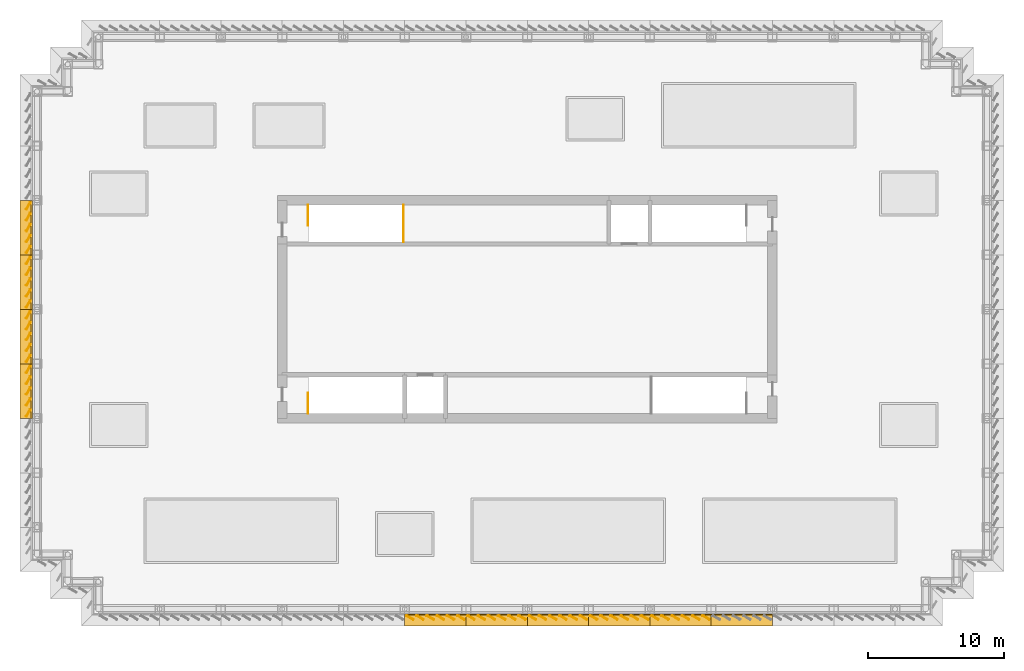
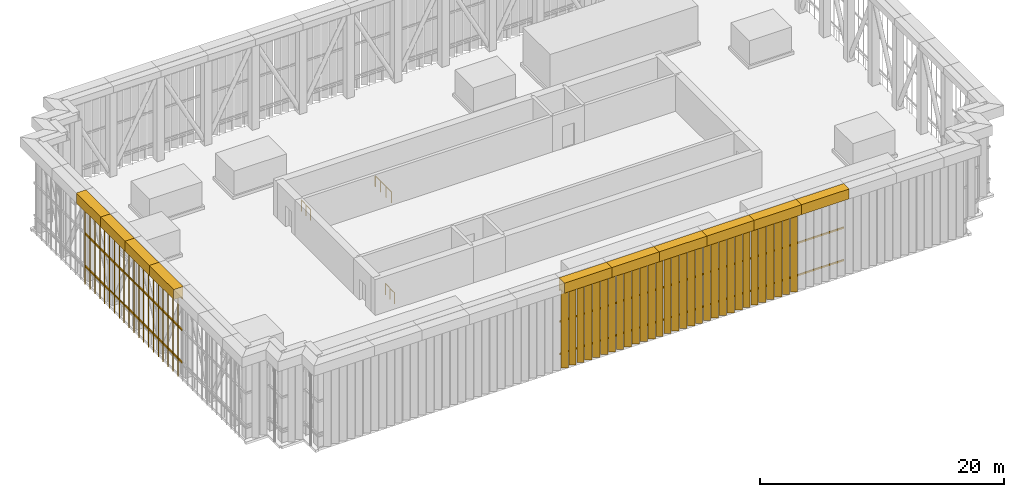
# One storey, part 4 of 11: 29 coverings, 3 railings.
"""IFC4 building model written with IfcOpenShell, lengths in metres."""

from ifc_helpers import new_model, si_unit, direction, frame, origin, origin_2d, place, context, subcontext, project, spatial, polyline, circle, outline, extrude, material, layer, layer_set, type_object, element, save


model = new_model("IFC4")

# Units and contexts
model_context = context("Model", 3, precision=1e-05, world=origin(), true_north=direction((0.0, 1.0)))
body_context = subcontext(model_context, "Body", "Model", "MODEL_VIEW")
ifc_project = project(units=[si_unit("LENGTHUNIT", "METRE"), si_unit("AREAUNIT", "SQUARE_METRE"), si_unit("VOLUMEUNIT", "CUBIC_METRE"), si_unit("PLANEANGLEUNIT", "RADIAN"), si_unit("MASSUNIT", "GRAM", prefix="KILO")], contexts=[model_context])

# Site, building, storey
site_placement = place(None, origin())
site = spatial("IfcSite", under=ifc_project, at=site_placement, CompositionType="ELEMENT")
building_placement = place(site_placement, origin())
building = spatial("IfcBuilding", under=site, at=building_placement, Name="Rheinbord Bourse Tower", CompositionType="ELEMENT")
storey_placement = place(building_placement, frame((0.0, 0.0, 334.10009765625)))
storey = spatial("IfcBuildingStorey", under=building, at=storey_placement, Name="RF", CompositionType="ELEMENT", Elevation=334.10009765625)

# Coverings
ifc_material_1 = material(Name="Black aluminium coping on a steel frame", Category="steel")
ifc_layer_1 = layer(ifc_material_1, 1.0)
ifc_layer_set_1 = layer_set([ifc_layer_1], Name="CROWN CAP 900x1000")
covering_type_1 = type_object("IfcCoveringType", Name="CROWN CAP 900x1000", PredefinedType="USERDEFINED", material=ifc_layer_set_1)
covering_1_placement = place(storey_placement, frame((0.0, 0.0, 8.0)))
element("IfcCovering", 1, at=covering_1_placement, inside=storey, type_object=covering_type_1, Name="Crown cap S-27-S-31.5", ObjectType="COPING", PredefinedType="USERDEFINED", context=body_context, shape_type="SweptSolid", body=[
    extrude(outline(polyline([(27.0, 1.64990234375), (31.5, 1.64990234375), (31.5, 0.75), (27.0, 0.75), (27.0, 1.64990234375)])), origin(), (0.0, 0.0, 1.0), 1.0),
])
covering_2_placement = place(storey_placement, frame((0.0, 0.0, 8.0)))
element("IfcCovering", 2, at=covering_2_placement, inside=storey, type_object=covering_type_1, Name="Crown cap S-31.5-S-36", ObjectType="COPING", PredefinedType="USERDEFINED", context=body_context, shape_type="SweptSolid", body=[
    extrude(outline(polyline([(31.5, 1.64990234375), (36.0, 1.64990234375), (36.0, 0.75), (31.5, 0.75), (31.5, 1.64990234375)])), origin(), (0.0, 0.0, 1.0), 1.0),
])
covering_3_placement = place(storey_placement, frame((0.0, 0.0, 8.0)))
element("IfcCovering", 3, at=covering_3_placement, inside=storey, type_object=covering_type_1, Name="Crown cap S-36-S-40.5", ObjectType="COPING", PredefinedType="USERDEFINED", context=body_context, shape_type="SweptSolid", body=[
    extrude(outline(polyline([(36.0, 1.64990234375), (40.5, 1.64990234375), (40.5, 0.75), (36.0, 0.75), (36.0, 1.64990234375)])), origin(), (0.0, 0.0, 1.0), 1.0),
])
covering_4_placement = place(storey_placement, frame((0.0, 0.0, 8.0)))
element("IfcCovering", 4, at=covering_4_placement, inside=storey, type_object=covering_type_1, Name="Crown cap S-40.5-S-45", ObjectType="COPING", PredefinedType="USERDEFINED", context=body_context, shape_type="SweptSolid", body=[
    extrude(outline(polyline([(40.5, 1.64990234375), (45.0, 1.64990234375), (45.0, 0.75), (40.5, 0.75), (40.5, 1.64990234375)])), origin(), (0.0, 0.0, 1.0), 1.0),
])
covering_5_placement = place(storey_placement, frame((0.0, 0.0, 8.0)))
element("IfcCovering", 5, at=covering_5_placement, inside=storey, type_object=covering_type_1, Name="Crown cap S-45-S-49.5", ObjectType="COPING", PredefinedType="USERDEFINED", context=body_context, shape_type="SweptSolid", body=[
    extrude(outline(polyline([(45.0, 1.64990234375), (49.5, 1.64990234375), (49.5, 0.75), (45.0, 0.75), (45.0, 1.64990234375)])), origin(), (0.0, 0.0, 1.0), 1.0),
])
covering_6_placement = place(storey_placement, frame((0.0, 0.0, 8.0)))
element("IfcCovering", 6, at=covering_6_placement, inside=storey, type_object=covering_type_1, Name="Crown cap S-49.5-S-54", ObjectType="COPING", PredefinedType="USERDEFINED", context=body_context, shape_type="SweptSolid", body=[
    extrude(outline(polyline([(49.5, 1.64990234375), (54.0, 1.64990234375), (54.0, 0.75), (49.5, 0.75), (49.5, 1.64990234375)])), origin(), (0.0, 0.0, 1.0), 1.0),
])
covering_7_placement = place(storey_placement, frame((0.0, 0.0, 8.0)))
element("IfcCovering", 7, at=covering_7_placement, inside=storey, type_object=covering_type_1, Name="Crown cap W-32-W-28", ObjectType="COPING", PredefinedType="USERDEFINED", context=body_context, shape_type="SweptSolid", body=[
    extrude(outline(polyline([(-0.35009765625, 32.0), (-0.35009765625, 28.0), (-1.25, 28.0), (-1.25, 32.0), (-0.35009765625, 32.0)])), origin(), (0.0, 0.0, 1.0), 1.0),
])
covering_8_placement = place(storey_placement, frame((0.0, 0.0, 8.0)))
element("IfcCovering", 8, at=covering_8_placement, inside=storey, type_object=covering_type_1, Name="Crown cap W-28-W-24", ObjectType="COPING", PredefinedType="USERDEFINED", context=body_context, shape_type="SweptSolid", body=[
    extrude(outline(polyline([(-0.35009765625, 28.0), (-0.35009765625, 24.0), (-1.25, 24.0), (-1.25, 28.0), (-0.35009765625, 28.0)])), origin(), (0.0, 0.0, 1.0), 1.0),
])
covering_9_placement = place(storey_placement, frame((0.0, 0.0, 8.0)))
element("IfcCovering", 9, at=covering_9_placement, inside=storey, type_object=covering_type_1, Name="Crown cap W-24-W-20", ObjectType="COPING", PredefinedType="USERDEFINED", context=body_context, shape_type="SweptSolid", body=[
    extrude(outline(polyline([(-0.35009765625, 24.0), (-0.35009765625, 20.0), (-1.25, 20.0), (-1.25, 24.0), (-0.35009765625, 24.0)])), origin(), (0.0, 0.0, 1.0), 1.0),
])
covering_10_placement = place(storey_placement, frame((0.0, 0.0, 8.0)))
element("IfcCovering", 10, at=covering_10_placement, inside=storey, type_object=covering_type_1, Name="Crown cap W-20-W-16", ObjectType="COPING", PredefinedType="USERDEFINED", context=body_context, shape_type="SweptSolid", body=[
    extrude(outline(polyline([(-0.35009765625, 20.0), (-0.35009765625, 16.0), (-1.25, 16.0), (-1.25, 20.0), (-0.35009765625, 20.0)])), origin(), (0.0, 0.0, 1.0), 1.0),
])
ifc_material_2 = material(Name="Black anodised aluminium", Category="aluminium")
ifc_layer_2 = layer(ifc_material_2, 0.080078125)
ifc_layer_set_2 = layer_set([ifc_layer_2], Name="CROWN SCREEN BLADE 600x80")
covering_type_2 = type_object("IfcCoveringType", Name="CROWN SCREEN BLADE 600x80", PredefinedType="USERDEFINED", material=ifc_layer_set_2)
covering_11_placement = place(storey_placement, frame((0.0, 0.0, 0.0498046875)))
element("IfcCovering", 11, at=covering_11_placement, inside=storey, type_object=covering_type_2, Name="Crown screen blades S-27-S-31.5", ObjectType="LOUVRE", PredefinedType="USERDEFINED", context=body_context, shape_type="SweptSolid", body=[
    extrude(outline(polyline([(27.135009765625, 1.550048828125), (27.655029296875, 1.25), (27.614990234375, 1.180908203125), (27.094970703125, 1.48095703125), (27.135009765625, 1.550048828125)])), origin(), (0.0, 0.0, 1.0), 7.9501953125),
    extrude(outline(polyline([(27.885009765625, 1.550048828125), (28.405029296875, 1.25), (28.364990234375, 1.180908203125), (27.844970703125, 1.48095703125), (27.885009765625, 1.550048828125)])), origin(), (0.0, 0.0, 1.0), 7.9501953125),
    extrude(outline(polyline([(28.635009765625, 1.550048828125), (29.155029296875, 1.25), (29.114990234375, 1.180908203125), (28.594970703125, 1.48095703125), (28.635009765625, 1.550048828125)])), origin(), (0.0, 0.0, 1.0), 7.9501953125),
    extrude(outline(polyline([(29.385009765625, 1.550048828125), (29.905029296875, 1.25), (29.864990234375, 1.180908203125), (29.344970703125, 1.48095703125), (29.385009765625, 1.550048828125)])), origin(), (0.0, 0.0, 1.0), 7.9501953125),
    extrude(outline(polyline([(30.135009765625, 1.550048828125), (30.655029296875, 1.25), (30.614990234375, 1.180908203125), (30.094970703125, 1.48095703125), (30.135009765625, 1.550048828125)])), origin(), (0.0, 0.0, 1.0), 7.9501953125),
    extrude(outline(polyline([(30.885009765625, 1.550048828125), (31.405029296875, 1.25), (31.364990234375, 1.180908203125), (30.844970703125, 1.48095703125), (30.885009765625, 1.550048828125)])), origin(), (0.0, 0.0, 1.0), 7.9501953125),
])
covering_12_placement = place(storey_placement, frame((0.0, 0.0, 0.0498046875)))
element("IfcCovering", 12, at=covering_12_placement, inside=storey, type_object=covering_type_2, Name="Crown screen blades S-31.5-S-36", ObjectType="LOUVRE", PredefinedType="USERDEFINED", context=body_context, shape_type="SweptSolid", body=[
    extrude(outline(polyline([(31.635009765625, 1.550048828125), (32.155029296875, 1.25), (32.114990234375, 1.180908203125), (31.594970703125, 1.48095703125), (31.635009765625, 1.550048828125)])), origin(), (0.0, 0.0, 1.0), 7.9501953125),
    extrude(outline(polyline([(32.385009765625, 1.550048828125), (32.905029296875, 1.25), (32.864990234375, 1.180908203125), (32.344970703125, 1.48095703125), (32.385009765625, 1.550048828125)])), origin(), (0.0, 0.0, 1.0), 7.9501953125),
    extrude(outline(polyline([(33.135009765625, 1.550048828125), (33.655029296875, 1.25), (33.614990234375, 1.180908203125), (33.094970703125, 1.48095703125), (33.135009765625, 1.550048828125)])), origin(), (0.0, 0.0, 1.0), 7.9501953125),
    extrude(outline(polyline([(33.885009765625, 1.550048828125), (34.405029296875, 1.25), (34.364990234375, 1.180908203125), (33.844970703125, 1.48095703125), (33.885009765625, 1.550048828125)])), origin(), (0.0, 0.0, 1.0), 7.9501953125),
    extrude(outline(polyline([(34.635009765625, 1.550048828125), (35.155029296875, 1.25), (35.114990234375, 1.180908203125), (34.594970703125, 1.48095703125), (34.635009765625, 1.550048828125)])), origin(), (0.0, 0.0, 1.0), 7.9501953125),
    extrude(outline(polyline([(35.385009765625, 1.550048828125), (35.905029296875, 1.25), (35.864990234375, 1.180908203125), (35.344970703125, 1.48095703125), (35.385009765625, 1.550048828125)])), origin(), (0.0, 0.0, 1.0), 7.9501953125),
])
covering_13_placement = place(storey_placement, frame((0.0, 0.0, 0.0498046875)))
element("IfcCovering", 13, at=covering_13_placement, inside=storey, type_object=covering_type_2, Name="Crown screen blades S-36-S-40.5", ObjectType="LOUVRE", PredefinedType="USERDEFINED", context=body_context, shape_type="SweptSolid", body=[
    extrude(outline(polyline([(36.135009765625, 1.550048828125), (36.655029296875, 1.25), (36.614990234375, 1.180908203125), (36.094970703125, 1.48095703125), (36.135009765625, 1.550048828125)])), origin(), (0.0, 0.0, 1.0), 7.9501953125),
    extrude(outline(polyline([(36.885009765625, 1.550048828125), (37.405029296875, 1.25), (37.364990234375, 1.180908203125), (36.844970703125, 1.48095703125), (36.885009765625, 1.550048828125)])), origin(), (0.0, 0.0, 1.0), 7.9501953125),
    extrude(outline(polyline([(37.635009765625, 1.550048828125), (38.155029296875, 1.25), (38.114990234375, 1.180908203125), (37.594970703125, 1.48095703125), (37.635009765625, 1.550048828125)])), origin(), (0.0, 0.0, 1.0), 7.9501953125),
    extrude(outline(polyline([(38.385009765625, 1.550048828125), (38.905029296875, 1.25), (38.864990234375, 1.180908203125), (38.344970703125, 1.48095703125), (38.385009765625, 1.550048828125)])), origin(), (0.0, 0.0, 1.0), 7.9501953125),
    extrude(outline(polyline([(39.135009765625, 1.550048828125), (39.655029296875, 1.25), (39.614990234375, 1.180908203125), (39.094970703125, 1.48095703125), (39.135009765625, 1.550048828125)])), origin(), (0.0, 0.0, 1.0), 7.9501953125),
    extrude(outline(polyline([(39.885009765625, 1.550048828125), (40.405029296875, 1.25), (40.364990234375, 1.180908203125), (39.844970703125, 1.48095703125), (39.885009765625, 1.550048828125)])), origin(), (0.0, 0.0, 1.0), 7.9501953125),
])
covering_14_placement = place(storey_placement, frame((0.0, 0.0, 0.0498046875)))
element("IfcCovering", 14, at=covering_14_placement, inside=storey, type_object=covering_type_2, Name="Crown screen blades S-40.5-S-45", ObjectType="LOUVRE", PredefinedType="USERDEFINED", context=body_context, shape_type="SweptSolid", body=[
    extrude(outline(polyline([(40.635009765625, 1.550048828125), (41.155029296875, 1.25), (41.114990234375, 1.180908203125), (40.594970703125, 1.48095703125), (40.635009765625, 1.550048828125)])), origin(), (0.0, 0.0, 1.0), 7.9501953125),
    extrude(outline(polyline([(41.385009765625, 1.550048828125), (41.905029296875, 1.25), (41.864990234375, 1.180908203125), (41.344970703125, 1.48095703125), (41.385009765625, 1.550048828125)])), origin(), (0.0, 0.0, 1.0), 7.9501953125),
    extrude(outline(polyline([(42.135009765625, 1.550048828125), (42.655029296875, 1.25), (42.614990234375, 1.180908203125), (42.094970703125, 1.48095703125), (42.135009765625, 1.550048828125)])), origin(), (0.0, 0.0, 1.0), 7.9501953125),
    extrude(outline(polyline([(42.885009765625, 1.550048828125), (43.405029296875, 1.25), (43.364990234375, 1.180908203125), (42.844970703125, 1.48095703125), (42.885009765625, 1.550048828125)])), origin(), (0.0, 0.0, 1.0), 7.9501953125),
    extrude(outline(polyline([(43.635009765625, 1.550048828125), (44.155029296875, 1.25), (44.114990234375, 1.180908203125), (43.594970703125, 1.48095703125), (43.635009765625, 1.550048828125)])), origin(), (0.0, 0.0, 1.0), 7.9501953125),
    extrude(outline(polyline([(44.385009765625, 1.550048828125), (44.905029296875, 1.25), (44.864990234375, 1.180908203125), (44.344970703125, 1.48095703125), (44.385009765625, 1.550048828125)])), origin(), (0.0, 0.0, 1.0), 7.9501953125),
])
covering_15_placement = place(storey_placement, frame((0.0, 0.0, 0.0498046875)))
element("IfcCovering", 15, at=covering_15_placement, inside=storey, type_object=covering_type_2, Name="Crown screen blades S-45-S-49.5", ObjectType="LOUVRE", PredefinedType="USERDEFINED", context=body_context, shape_type="SweptSolid", body=[
    extrude(outline(polyline([(45.135009765625, 1.550048828125), (45.655029296875, 1.25), (45.614990234375, 1.180908203125), (45.094970703125, 1.48095703125), (45.135009765625, 1.550048828125)])), origin(), (0.0, 0.0, 1.0), 7.9501953125),
    extrude(outline(polyline([(45.885009765625, 1.550048828125), (46.405029296875, 1.25), (46.364990234375, 1.180908203125), (45.844970703125, 1.48095703125), (45.885009765625, 1.550048828125)])), origin(), (0.0, 0.0, 1.0), 7.9501953125),
    extrude(outline(polyline([(46.635009765625, 1.550048828125), (47.155029296875, 1.25), (47.114990234375, 1.180908203125), (46.594970703125, 1.48095703125), (46.635009765625, 1.550048828125)])), origin(), (0.0, 0.0, 1.0), 7.9501953125),
    extrude(outline(polyline([(47.385009765625, 1.550048828125), (47.905029296875, 1.25), (47.864990234375, 1.180908203125), (47.344970703125, 1.48095703125), (47.385009765625, 1.550048828125)])), origin(), (0.0, 0.0, 1.0), 7.9501953125),
    extrude(outline(polyline([(48.135009765625, 1.550048828125), (48.655029296875, 1.25), (48.614990234375, 1.180908203125), (48.094970703125, 1.48095703125), (48.135009765625, 1.550048828125)])), origin(), (0.0, 0.0, 1.0), 7.9501953125),
    extrude(outline(polyline([(48.885009765625, 1.550048828125), (49.405029296875, 1.25), (49.364990234375, 1.180908203125), (48.844970703125, 1.48095703125), (48.885009765625, 1.550048828125)])), origin(), (0.0, 0.0, 1.0), 7.9501953125),
])
covering_16_placement = place(storey_placement, frame((0.0, 0.0, 0.0498046875)))
element("IfcCovering", 16, at=covering_16_placement, inside=storey, type_object=covering_type_2, Name="Crown screen blades W-32-W-28", ObjectType="LOUVRE", PredefinedType="USERDEFINED", context=body_context, shape_type="SweptSolid", body=[
    extrude(outline(polyline([(-0.449951171875, 31.840087890625), (-0.75, 31.320068359375), (-0.819091796875, 31.360107421875), (-0.51904296875, 31.8798828125), (-0.449951171875, 31.840087890625)])), origin(), (0.0, 0.0, 1.0), 7.9501953125),
    extrude(outline(polyline([(-0.449951171875, 31.0400390625), (-0.75, 30.52001953125), (-0.819091796875, 30.56005859375), (-0.51904296875, 31.080078125), (-0.449951171875, 31.0400390625)])), origin(), (0.0, 0.0, 1.0), 7.9501953125),
    extrude(outline(polyline([(-0.449951171875, 30.239990234375), (-0.75, 29.719970703125), (-0.819091796875, 29.760009765625), (-0.51904296875, 30.280029296875), (-0.449951171875, 30.239990234375)])), origin(), (0.0, 0.0, 1.0), 7.9501953125),
    extrude(outline(polyline([(-0.449951171875, 29.43994140625), (-0.75, 28.919921875), (-0.819091796875, 28.9599609375), (-0.51904296875, 29.47998046875), (-0.449951171875, 29.43994140625)])), origin(), (0.0, 0.0, 1.0), 7.9501953125),
    extrude(outline(polyline([(-0.449951171875, 28.639892578125), (-0.75, 28.1201171875), (-0.819091796875, 28.159912109375), (-0.51904296875, 28.679931640625), (-0.449951171875, 28.639892578125)])), origin(), (0.0, 0.0, 1.0), 7.9501953125),
])
covering_17_placement = place(storey_placement, frame((0.0, 0.0, 0.0498046875)))
element("IfcCovering", 17, at=covering_17_placement, inside=storey, type_object=covering_type_2, Name="Crown screen blades W-28-W-24", ObjectType="LOUVRE", PredefinedType="USERDEFINED", context=body_context, shape_type="SweptSolid", body=[
    extrude(outline(polyline([(-0.449951171875, 27.840087890625), (-0.75, 27.320068359375), (-0.819091796875, 27.360107421875), (-0.51904296875, 27.8798828125), (-0.449951171875, 27.840087890625)])), origin(), (0.0, 0.0, 1.0), 7.9501953125),
    extrude(outline(polyline([(-0.449951171875, 27.0400390625), (-0.75, 26.52001953125), (-0.819091796875, 26.56005859375), (-0.51904296875, 27.080078125), (-0.449951171875, 27.0400390625)])), origin(), (0.0, 0.0, 1.0), 7.9501953125),
    extrude(outline(polyline([(-0.449951171875, 26.239990234375), (-0.75, 25.719970703125), (-0.819091796875, 25.760009765625), (-0.51904296875, 26.280029296875), (-0.449951171875, 26.239990234375)])), origin(), (0.0, 0.0, 1.0), 7.9501953125),
    extrude(outline(polyline([(-0.449951171875, 25.43994140625), (-0.75, 24.919921875), (-0.819091796875, 24.9599609375), (-0.51904296875, 25.47998046875), (-0.449951171875, 25.43994140625)])), origin(), (0.0, 0.0, 1.0), 7.9501953125),
    extrude(outline(polyline([(-0.449951171875, 24.639892578125), (-0.75, 24.1201171875), (-0.819091796875, 24.159912109375), (-0.51904296875, 24.679931640625), (-0.449951171875, 24.639892578125)])), origin(), (0.0, 0.0, 1.0), 7.9501953125),
])
covering_18_placement = place(storey_placement, frame((0.0, 0.0, 0.0498046875)))
element("IfcCovering", 18, at=covering_18_placement, inside=storey, type_object=covering_type_2, Name="Crown screen blades W-24-W-20", ObjectType="LOUVRE", PredefinedType="USERDEFINED", context=body_context, shape_type="SweptSolid", body=[
    extrude(outline(polyline([(-0.449951171875, 23.840087890625), (-0.75, 23.320068359375), (-0.819091796875, 23.360107421875), (-0.51904296875, 23.8798828125), (-0.449951171875, 23.840087890625)])), origin(), (0.0, 0.0, 1.0), 7.9501953125),
    extrude(outline(polyline([(-0.449951171875, 23.0400390625), (-0.75, 22.52001953125), (-0.819091796875, 22.56005859375), (-0.51904296875, 23.080078125), (-0.449951171875, 23.0400390625)])), origin(), (0.0, 0.0, 1.0), 7.9501953125),
    extrude(outline(polyline([(-0.449951171875, 22.239990234375), (-0.75, 21.719970703125), (-0.819091796875, 21.760009765625), (-0.51904296875, 22.280029296875), (-0.449951171875, 22.239990234375)])), origin(), (0.0, 0.0, 1.0), 7.9501953125),
    extrude(outline(polyline([(-0.449951171875, 21.43994140625), (-0.75, 20.919921875), (-0.819091796875, 20.9599609375), (-0.51904296875, 21.47998046875), (-0.449951171875, 21.43994140625)])), origin(), (0.0, 0.0, 1.0), 7.9501953125),
    extrude(outline(polyline([(-0.449951171875, 20.639892578125), (-0.75, 20.1201171875), (-0.819091796875, 20.159912109375), (-0.51904296875, 20.679931640625), (-0.449951171875, 20.639892578125)])), origin(), (0.0, 0.0, 1.0), 7.9501953125),
])
covering_19_placement = place(storey_placement, frame((0.0, 0.0, 0.0498046875)))
element("IfcCovering", 19, at=covering_19_placement, inside=storey, type_object=covering_type_2, Name="Crown screen blades W-20-W-16", ObjectType="LOUVRE", PredefinedType="USERDEFINED", context=body_context, shape_type="SweptSolid", body=[
    extrude(outline(polyline([(-0.449951171875, 19.840087890625), (-0.75, 19.320068359375), (-0.819091796875, 19.360107421875), (-0.51904296875, 19.8798828125), (-0.449951171875, 19.840087890625)])), origin(), (0.0, 0.0, 1.0), 7.9501953125),
    extrude(outline(polyline([(-0.449951171875, 19.0400390625), (-0.75, 18.52001953125), (-0.819091796875, 18.56005859375), (-0.51904296875, 19.080078125), (-0.449951171875, 19.0400390625)])), origin(), (0.0, 0.0, 1.0), 7.9501953125),
    extrude(outline(polyline([(-0.449951171875, 18.239990234375), (-0.75, 17.719970703125), (-0.819091796875, 17.760009765625), (-0.51904296875, 18.280029296875), (-0.449951171875, 18.239990234375)])), origin(), (0.0, 0.0, 1.0), 7.9501953125),
    extrude(outline(polyline([(-0.449951171875, 17.43994140625), (-0.75, 16.919921875), (-0.819091796875, 16.9599609375), (-0.51904296875, 17.47998046875), (-0.449951171875, 17.43994140625)])), origin(), (0.0, 0.0, 1.0), 7.9501953125),
    extrude(outline(polyline([(-0.449951171875, 16.639892578125), (-0.75, 16.1201171875), (-0.819091796875, 16.159912109375), (-0.51904296875, 16.679931640625), (-0.449951171875, 16.639892578125)])), origin(), (0.0, 0.0, 1.0), 7.9501953125),
])
ifc_material_3 = material(Name="Black powder-coated steel", Category="steel")
ifc_layer_3 = layer(ifc_material_3, 0.10009765625)
ifc_layer_set_3 = layer_set([ifc_layer_3], Name="CROWN SCREEN RAIL 150x100")
covering_type_3 = type_object("IfcCoveringType", Name="CROWN SCREEN RAIL 150x100", PredefinedType="USERDEFINED", material=ifc_layer_set_3)
covering_20_placement = place(storey_placement, frame((0.0, 0.0, 1.2998046875)))
element("IfcCovering", 20, at=covering_20_placement, inside=storey, type_object=covering_type_3, Name="Crown screen rails S-27-S-31.5", ObjectType="LOUVRE RAIL", PredefinedType="USERDEFINED", context=body_context, shape_type="SweptSolid", body=[
    extrude(outline(polyline([(27.0, 1.64990234375), (31.5, 1.64990234375), (31.5, 1.550048828125), (27.0, 1.550048828125), (27.0, 1.64990234375)])), origin(), (0.0, 0.0, 1.0), 0.150146484375),
    extrude(outline(polyline([(27.0, 1.64990234375), (31.5, 1.64990234375), (31.5, 1.550048828125), (27.0, 1.550048828125), (27.0, 1.64990234375)])), frame((0.0, 0.0, 3.25)), (0.0, 0.0, 1.0), 0.150146484375),
    extrude(outline(polyline([(27.0, 1.64990234375), (31.5, 1.64990234375), (31.5, 1.550048828125), (27.0, 1.550048828125), (27.0, 1.64990234375)])), frame((0.0, 0.0, 6.4501953125)), (0.0, 0.0, 1.0), 0.14990234375),
])
covering_21_placement = place(storey_placement, frame((0.0, 0.0, 1.2998046875)))
element("IfcCovering", 21, at=covering_21_placement, inside=storey, type_object=covering_type_3, Name="Crown screen rails S-31.5-S-36", ObjectType="LOUVRE RAIL", PredefinedType="USERDEFINED", context=body_context, shape_type="SweptSolid", body=[
    extrude(outline(polyline([(31.5, 1.64990234375), (36.0, 1.64990234375), (36.0, 1.550048828125), (31.5, 1.550048828125), (31.5, 1.64990234375)])), origin(), (0.0, 0.0, 1.0), 0.150146484375),
    extrude(outline(polyline([(31.5, 1.64990234375), (36.0, 1.64990234375), (36.0, 1.550048828125), (31.5, 1.550048828125), (31.5, 1.64990234375)])), frame((0.0, 0.0, 3.25)), (0.0, 0.0, 1.0), 0.150146484375),
    extrude(outline(polyline([(31.5, 1.64990234375), (36.0, 1.64990234375), (36.0, 1.550048828125), (31.5, 1.550048828125), (31.5, 1.64990234375)])), frame((0.0, 0.0, 6.4501953125)), (0.0, 0.0, 1.0), 0.14990234375),
])
covering_22_placement = place(storey_placement, frame((0.0, 0.0, 1.2998046875)))
element("IfcCovering", 22, at=covering_22_placement, inside=storey, type_object=covering_type_3, Name="Crown screen rails S-36-S-40.5", ObjectType="LOUVRE RAIL", PredefinedType="USERDEFINED", context=body_context, shape_type="SweptSolid", body=[
    extrude(outline(polyline([(36.0, 1.64990234375), (40.5, 1.64990234375), (40.5, 1.550048828125), (36.0, 1.550048828125), (36.0, 1.64990234375)])), origin(), (0.0, 0.0, 1.0), 0.150146484375),
    extrude(outline(polyline([(36.0, 1.64990234375), (40.5, 1.64990234375), (40.5, 1.550048828125), (36.0, 1.550048828125), (36.0, 1.64990234375)])), frame((0.0, 0.0, 3.25)), (0.0, 0.0, 1.0), 0.150146484375),
    extrude(outline(polyline([(36.0, 1.64990234375), (40.5, 1.64990234375), (40.5, 1.550048828125), (36.0, 1.550048828125), (36.0, 1.64990234375)])), frame((0.0, 0.0, 6.4501953125)), (0.0, 0.0, 1.0), 0.14990234375),
])
covering_23_placement = place(storey_placement, frame((0.0, 0.0, 1.2998046875)))
element("IfcCovering", 23, at=covering_23_placement, inside=storey, type_object=covering_type_3, Name="Crown screen rails S-40.5-S-45", ObjectType="LOUVRE RAIL", PredefinedType="USERDEFINED", context=body_context, shape_type="SweptSolid", body=[
    extrude(outline(polyline([(40.5, 1.64990234375), (45.0, 1.64990234375), (45.0, 1.550048828125), (40.5, 1.550048828125), (40.5, 1.64990234375)])), origin(), (0.0, 0.0, 1.0), 0.150146484375),
    extrude(outline(polyline([(40.5, 1.64990234375), (45.0, 1.64990234375), (45.0, 1.550048828125), (40.5, 1.550048828125), (40.5, 1.64990234375)])), frame((0.0, 0.0, 3.25)), (0.0, 0.0, 1.0), 0.150146484375),
    extrude(outline(polyline([(40.5, 1.64990234375), (45.0, 1.64990234375), (45.0, 1.550048828125), (40.5, 1.550048828125), (40.5, 1.64990234375)])), frame((0.0, 0.0, 6.4501953125)), (0.0, 0.0, 1.0), 0.14990234375),
])
covering_24_placement = place(storey_placement, frame((0.0, 0.0, 1.2998046875)))
element("IfcCovering", 24, at=covering_24_placement, inside=storey, type_object=covering_type_3, Name="Crown screen rails S-45-S-49.5", ObjectType="LOUVRE RAIL", PredefinedType="USERDEFINED", context=body_context, shape_type="SweptSolid", body=[
    extrude(outline(polyline([(45.0, 1.64990234375), (49.5, 1.64990234375), (49.5, 1.550048828125), (45.0, 1.550048828125), (45.0, 1.64990234375)])), origin(), (0.0, 0.0, 1.0), 0.150146484375),
    extrude(outline(polyline([(45.0, 1.64990234375), (49.5, 1.64990234375), (49.5, 1.550048828125), (45.0, 1.550048828125), (45.0, 1.64990234375)])), frame((0.0, 0.0, 3.25)), (0.0, 0.0, 1.0), 0.150146484375),
    extrude(outline(polyline([(45.0, 1.64990234375), (49.5, 1.64990234375), (49.5, 1.550048828125), (45.0, 1.550048828125), (45.0, 1.64990234375)])), frame((0.0, 0.0, 6.4501953125)), (0.0, 0.0, 1.0), 0.14990234375),
])
covering_25_placement = place(storey_placement, frame((0.0, 0.0, 1.2998046875)))
element("IfcCovering", 25, at=covering_25_placement, inside=storey, type_object=covering_type_3, Name="Crown screen rails S-49.5-S-54", ObjectType="LOUVRE RAIL", PredefinedType="USERDEFINED", context=body_context, shape_type="SweptSolid", body=[
    extrude(outline(polyline([(49.5, 1.64990234375), (54.0, 1.64990234375), (54.0, 1.550048828125), (49.5, 1.550048828125), (49.5, 1.64990234375)])), origin(), (0.0, 0.0, 1.0), 0.150146484375),
    extrude(outline(polyline([(49.5, 1.64990234375), (54.0, 1.64990234375), (54.0, 1.550048828125), (49.5, 1.550048828125), (49.5, 1.64990234375)])), frame((0.0, 0.0, 3.25)), (0.0, 0.0, 1.0), 0.150146484375),
    extrude(outline(polyline([(49.5, 1.64990234375), (54.0, 1.64990234375), (54.0, 1.550048828125), (49.5, 1.550048828125), (49.5, 1.64990234375)])), frame((0.0, 0.0, 6.4501953125)), (0.0, 0.0, 1.0), 0.14990234375),
])
covering_26_placement = place(storey_placement, frame((0.0, 0.0, 1.2998046875)))
element("IfcCovering", 26, at=covering_26_placement, inside=storey, type_object=covering_type_3, Name="Crown screen rails W-32-W-28", ObjectType="LOUVRE RAIL", PredefinedType="USERDEFINED", context=body_context, shape_type="SweptSolid", body=[
    extrude(outline(polyline([(-0.35009765625, 32.0), (-0.35009765625, 28.0), (-0.449951171875, 28.0), (-0.449951171875, 32.0), (-0.35009765625, 32.0)])), origin(), (0.0, 0.0, 1.0), 0.150146484375),
    extrude(outline(polyline([(-0.35009765625, 32.0), (-0.35009765625, 28.0), (-0.449951171875, 28.0), (-0.449951171875, 32.0), (-0.35009765625, 32.0)])), frame((0.0, 0.0, 3.25)), (0.0, 0.0, 1.0), 0.150146484375),
    extrude(outline(polyline([(-0.35009765625, 32.0), (-0.35009765625, 28.0), (-0.449951171875, 28.0), (-0.449951171875, 32.0), (-0.35009765625, 32.0)])), frame((0.0, 0.0, 6.4501953125)), (0.0, 0.0, 1.0), 0.14990234375),
])
covering_27_placement = place(storey_placement, frame((0.0, 0.0, 1.2998046875)))
element("IfcCovering", 27, at=covering_27_placement, inside=storey, type_object=covering_type_3, Name="Crown screen rails W-28-W-24", ObjectType="LOUVRE RAIL", PredefinedType="USERDEFINED", context=body_context, shape_type="SweptSolid", body=[
    extrude(outline(polyline([(-0.35009765625, 28.0), (-0.35009765625, 24.0), (-0.449951171875, 24.0), (-0.449951171875, 28.0), (-0.35009765625, 28.0)])), origin(), (0.0, 0.0, 1.0), 0.150146484375),
    extrude(outline(polyline([(-0.35009765625, 28.0), (-0.35009765625, 24.0), (-0.449951171875, 24.0), (-0.449951171875, 28.0), (-0.35009765625, 28.0)])), frame((0.0, 0.0, 3.25)), (0.0, 0.0, 1.0), 0.150146484375),
    extrude(outline(polyline([(-0.35009765625, 28.0), (-0.35009765625, 24.0), (-0.449951171875, 24.0), (-0.449951171875, 28.0), (-0.35009765625, 28.0)])), frame((0.0, 0.0, 6.4501953125)), (0.0, 0.0, 1.0), 0.14990234375),
])
covering_28_placement = place(storey_placement, frame((0.0, 0.0, 1.2998046875)))
element("IfcCovering", 28, at=covering_28_placement, inside=storey, type_object=covering_type_3, Name="Crown screen rails W-24-W-20", ObjectType="LOUVRE RAIL", PredefinedType="USERDEFINED", context=body_context, shape_type="SweptSolid", body=[
    extrude(outline(polyline([(-0.35009765625, 24.0), (-0.35009765625, 20.0), (-0.449951171875, 20.0), (-0.449951171875, 24.0), (-0.35009765625, 24.0)])), origin(), (0.0, 0.0, 1.0), 0.150146484375),
    extrude(outline(polyline([(-0.35009765625, 24.0), (-0.35009765625, 20.0), (-0.449951171875, 20.0), (-0.449951171875, 24.0), (-0.35009765625, 24.0)])), frame((0.0, 0.0, 3.25)), (0.0, 0.0, 1.0), 0.150146484375),
    extrude(outline(polyline([(-0.35009765625, 24.0), (-0.35009765625, 20.0), (-0.449951171875, 20.0), (-0.449951171875, 24.0), (-0.35009765625, 24.0)])), frame((0.0, 0.0, 6.4501953125)), (0.0, 0.0, 1.0), 0.14990234375),
])
covering_29_placement = place(storey_placement, frame((0.0, 0.0, 1.2998046875)))
element("IfcCovering", 29, at=covering_29_placement, inside=storey, type_object=covering_type_3, Name="Crown screen rails W-20-W-16", ObjectType="LOUVRE RAIL", PredefinedType="USERDEFINED", context=body_context, shape_type="SweptSolid", body=[
    extrude(outline(polyline([(-0.35009765625, 20.0), (-0.35009765625, 16.0), (-0.449951171875, 16.0), (-0.449951171875, 20.0), (-0.35009765625, 20.0)])), origin(), (0.0, 0.0, 1.0), 0.150146484375),
    extrude(outline(polyline([(-0.35009765625, 20.0), (-0.35009765625, 16.0), (-0.449951171875, 16.0), (-0.449951171875, 20.0), (-0.35009765625, 20.0)])), frame((0.0, 0.0, 3.25)), (0.0, 0.0, 1.0), 0.150146484375),
    extrude(outline(polyline([(-0.35009765625, 20.0), (-0.35009765625, 16.0), (-0.449951171875, 16.0), (-0.449951171875, 20.0), (-0.35009765625, 20.0)])), frame((0.0, 0.0, 6.4501953125)), (0.0, 0.0, 1.0), 0.14990234375),
])

# Railings
ifc_material_4 = material(Name="Steel and glass guard", Category="steel")
railing_type = type_object("IfcRailingType", Name="GUARD 1100", PredefinedType="GUARDRAIL", material=ifc_material_4)
for number, where, name in (
    (30, (19.89990234375, 16.35009765625, 0.0), "Stair well guard ST1 RF"),
    (31, (19.89990234375, 30.14990234375, 0.0), "Stair well guard ST2 RF"),
):
    element("IfcRailing", number, at=place(storey_placement, frame(where)), inside=storey, type_object=railing_type, Name=name, PredefinedType="GUARDRAIL", context=body_context, shape_type="SweptSolid", body=[
        extrude(circle(Radius=0.02392578125, at=origin_2d()), frame((0.0, 0.0, 1.076171875), z_axis=(0.0, 1.0, 0.0), x_axis=(-1.0, 0.0, 0.0)), (0.0, 0.0, 1.0), 1.5),
        extrude(circle(Radius=0.02099609375, at=origin_2d()), origin(), (0.0, 0.0, 1.0), 1.052001953125),
        extrude(circle(Radius=0.02099609375, at=origin_2d()), frame((0.0, 0.75, 0.0)), (0.0, 0.0, 1.0), 1.052001953125),
        extrude(circle(Radius=0.02099609375, at=origin_2d()), frame((0.0, 1.5, 0.0)), (0.0, 0.0, 1.0), 1.052001953125),
    ])
railing_placement = place(storey_placement, frame((26.89990234375, 28.949951171875, 0.0)))
element("IfcRailing", 32, at=railing_placement, inside=storey, type_object=railing_type, Name="Stair well guard ST2 RF", PredefinedType="GUARDRAIL", context=body_context, shape_type="SweptSolid", body=[
    extrude(circle(Radius=0.02392578125, at=origin_2d()), frame((0.0, 0.0, 1.076171875), z_axis=(0.0, 1.0, 0.0), x_axis=(-1.0, 0.0, 0.0)), (0.0, 0.0, 1.0), 2.699951171875),
    extrude(circle(Radius=0.02099609375, at=origin_2d()), origin(), (0.0, 0.0, 1.0), 1.052001953125),
    extrude(circle(Radius=0.02099609375, at=origin_2d()), frame((0.0, 0.89990234375, 0.0)), (0.0, 0.0, 1.0), 1.052001953125),
    extrude(circle(Radius=0.02099609375, at=origin_2d()), frame((0.0, 1.800048828125, 0.0)), (0.0, 0.0, 1.0), 1.052001953125),
    extrude(circle(Radius=0.02099609375, at=origin_2d()), frame((0.0, 2.699951171875, 0.0)), (0.0, 0.0, 1.0), 1.052001953125),
])

save(model, "model.ifc")
